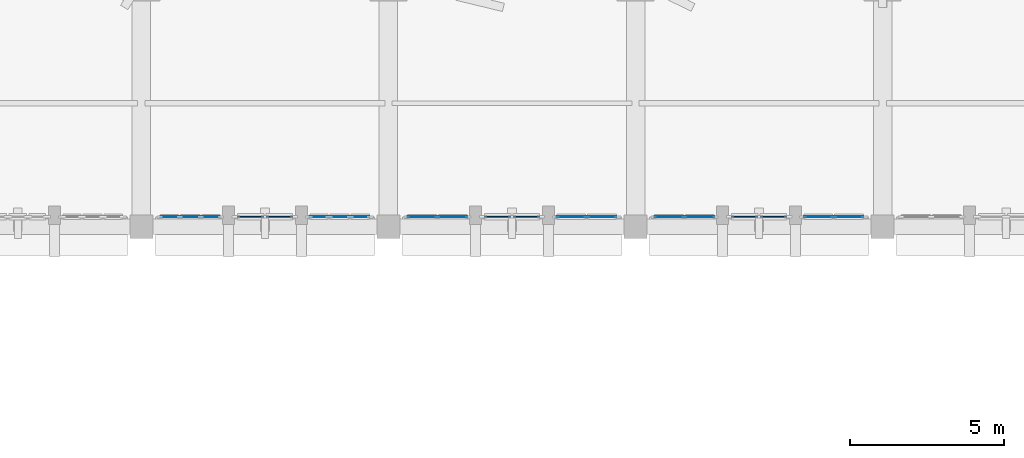
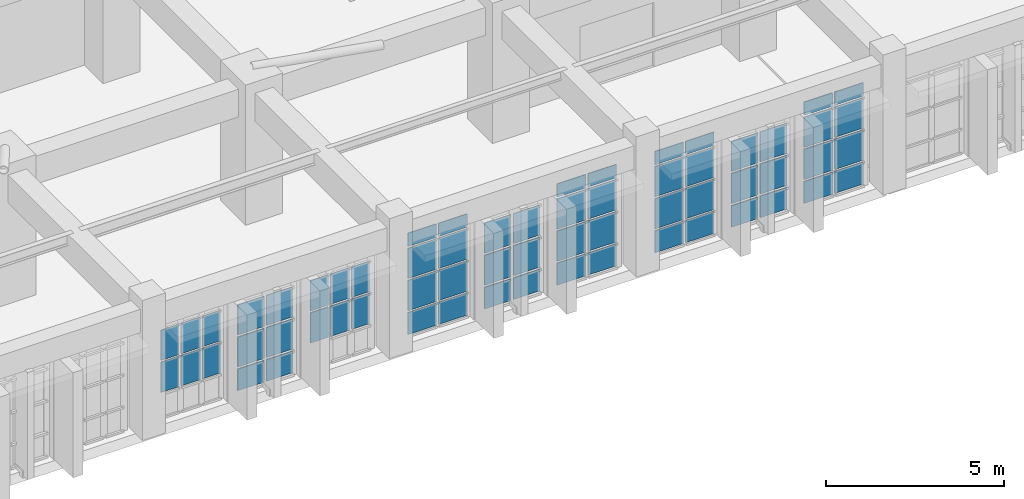
# One storey, part 95 of 155: 62 plates, 9 elements without a shape of their own.
"""IFC4 building model written with IfcOpenShell, lengths in metres."""

from ifc_helpers import new_model, si_unit, direction, frame, origin, origin_2d, place, context, subcontext, project, spatial, rectangle, extrude, material, layer, layer_set, type_object, element, aggregate, save


model = new_model("IFC4")

# Units and contexts
model_context = context("Model", 3, precision=1e-05, world=origin(), true_north=direction((0.0, 1.0)))
body_context = subcontext(model_context, "Body", "Model", "MODEL_VIEW")
ifc_project = project(units=[si_unit("LENGTHUNIT", "METRE"), si_unit("AREAUNIT", "SQUARE_METRE"), si_unit("VOLUMEUNIT", "CUBIC_METRE"), si_unit("PLANEANGLEUNIT", "RADIAN"), si_unit("MASSUNIT", "GRAM", prefix="KILO")], contexts=[model_context])

# Site, building, storey
site_placement = place(None, origin())
site = spatial("IfcSite", under=ifc_project, at=site_placement, CompositionType="ELEMENT")
building_placement = place(site_placement, origin())
building = spatial("IfcBuilding", under=site, at=building_placement, Name="Tazarka Park Arena", CompositionType="ELEMENT")
storey_placement = place(building_placement, frame((0.0, 0.0, 5.39990234375)))
storey = spatial("IfcBuildingStorey", under=building, at=storey_placement, Name="L01", CompositionType="ELEMENT", Elevation=5.39990234375)

# Curtain wall, plates
ifc_material_1 = material(Name="Aluminium and low-e glass", Category="aluminium")
ifc_layer_1 = layer(ifc_material_1, 0.179931640625, Name="Aluminium and low-e glass")
ifc_layer_set_1 = layer_set([ifc_layer_1], Name="Aluminium and low-e glass")
curtain_wall_type_1 = type_object("IfcCurtainWallType", Name="CW-09", PredefinedType="NOTDEFINED", material=ifc_layer_set_1)
curtain_wall_1_placement = place(storey_placement, origin())
curtain_wall_1 = element("IfcCurtainWall", 1, at=curtain_wall_1_placement, inside=storey, type_object=curtain_wall_type_1, Name="Curtain Wall CWA-L01-009", PredefinedType="NOTDEFINED")
ifc_material_2 = material(Name="Double low-e insulated glazing", Category="glass")
ifc_layer_2 = layer(ifc_material_2, 0.028076171875, Name="Double low-e insulated glazing")
ifc_layer_set_2 = layer_set([ifc_layer_2], Name="Double low-e insulated glazing")
plate_type_1 = type_object("IfcPlateType", Name="CWP-01", PredefinedType="CURTAIN_PANEL", material=ifc_layer_set_2)
plate_1_placement = place(storey_placement, frame((66.249755859375, 8.320068359375, 0.8828125), z_axis=(0.0, 0.0, 1.0), x_axis=(-1.0, 0.0, 0.0)))
plate_1 = element("IfcPlate", 2, at=plate_1_placement, type_object=plate_type_1, Name="CW-09 panel 1.2", PredefinedType="CURTAIN_PANEL", context=body_context, shape_type="SweptSolid", body=[
    extrude(rectangle(XDim=0.5869140625, YDim=0.028076171875, at=origin_2d()), origin(), (0.0, 0.0, 1.0), 1.034912109375),
])
plate_2_placement = place(storey_placement, frame((66.249755859375, 8.320068359375, 1.982421875), z_axis=(0.0, 0.0, 1.0), x_axis=(-1.0, 0.0, 0.0)))
plate_2 = element("IfcPlate", 3, at=plate_2_placement, type_object=plate_type_1, Name="CW-09 panel 1.3", PredefinedType="CURTAIN_PANEL", context=body_context, shape_type="SweptSolid", body=[
    extrude(rectangle(XDim=0.5869140625, YDim=0.028076171875, at=origin_2d()), origin(), (0.0, 0.0, 1.0), 1.034912109375),
])
plate_3_placement = place(storey_placement, frame((65.58154296875, 8.320068359375, 0.8828125), z_axis=(0.0, 0.0, 1.0), x_axis=(-1.0, 0.0, 0.0)))
plate_3 = element("IfcPlate", 4, at=plate_3_placement, type_object=plate_type_1, Name="CW-09 panel 2.2", PredefinedType="CURTAIN_PANEL", context=body_context, shape_type="SweptSolid", body=[
    extrude(rectangle(XDim=0.619384765625, YDim=0.028076171875, at=origin_2d()), origin(), (0.0, 0.0, 1.0), 1.034912109375),
])
plate_4_placement = place(storey_placement, frame((65.58154296875, 8.320068359375, 1.982421875), z_axis=(0.0, 0.0, 1.0), x_axis=(-1.0, 0.0, 0.0)))
plate_4 = element("IfcPlate", 5, at=plate_4_placement, type_object=plate_type_1, Name="CW-09 panel 2.3", PredefinedType="CURTAIN_PANEL", context=body_context, shape_type="SweptSolid", body=[
    extrude(rectangle(XDim=0.619384765625, YDim=0.028076171875, at=origin_2d()), origin(), (0.0, 0.0, 1.0), 1.034912109375),
])
plate_5_placement = place(storey_placement, frame((64.91357421875, 8.320068359375, 0.8828125), z_axis=(0.0, 0.0, 1.0), x_axis=(-1.0, 0.0, 0.0)))
plate_5 = element("IfcPlate", 6, at=plate_5_placement, type_object=plate_type_1, Name="CW-09 panel 3.2", PredefinedType="CURTAIN_PANEL", context=body_context, shape_type="SweptSolid", body=[
    extrude(rectangle(XDim=0.5869140625, YDim=0.028076171875, at=origin_2d()), origin(), (0.0, 0.0, 1.0), 1.034912109375),
])
plate_6_placement = place(storey_placement, frame((64.91357421875, 8.320068359375, 1.982421875), z_axis=(0.0, 0.0, 1.0), x_axis=(-1.0, 0.0, 0.0)))
plate_6 = element("IfcPlate", 7, at=plate_6_placement, type_object=plate_type_1, Name="CW-09 panel 3.3", PredefinedType="CURTAIN_PANEL", context=body_context, shape_type="SweptSolid", body=[
    extrude(rectangle(XDim=0.5869140625, YDim=0.028076171875, at=origin_2d()), origin(), (0.0, 0.0, 1.0), 1.034912109375),
])
aggregate(curtain_wall_1, [plate_1, plate_2, plate_3, plate_4, plate_5, plate_6])

ifc_material_3 = material(Name="Aluminium and low-e glass", Category="aluminium")
ifc_layer_3 = layer(ifc_material_3, 0.179931640625, Name="Aluminium and low-e glass")
ifc_layer_set_3 = layer_set([ifc_layer_3], Name="Aluminium and low-e glass")
curtain_wall_type_2 = type_object("IfcCurtainWallType", Name="CW-12", PredefinedType="NOTDEFINED", material=ifc_layer_set_3)
curtain_wall_2_placement = place(storey_placement, origin())
curtain_wall_2 = element("IfcCurtainWall", 8, at=curtain_wall_2_placement, inside=storey, type_object=curtain_wall_type_2, Name="Curtain Wall CWA-L01-012", PredefinedType="NOTDEFINED")
plate_7_placement = place(storey_placement, frame((74.07861328125, 8.320068359375, 0.065185546875), z_axis=(0.0, 0.0, 1.0), x_axis=(-1.0, 0.0, 0.0)))
plate_7 = element("IfcPlate", 9, at=plate_7_placement, type_object=plate_type_1, Name="CW-12 panel 1.1", PredefinedType="CURTAIN_PANEL", context=body_context, shape_type="SweptSolid", body=[
    extrude(rectangle(XDim=0.92919921875, YDim=0.028076171875, at=origin_2d()), origin(), (0.0, 0.0, 1.0), 0.75244140625),
])
plate_8_placement = place(storey_placement, frame((74.07861328125, 8.320068359375, 0.8828125), z_axis=(0.0, 0.0, 1.0), x_axis=(-1.0, 0.0, 0.0)))
plate_8 = element("IfcPlate", 10, at=plate_8_placement, type_object=plate_type_1, Name="CW-12 panel 1.2", PredefinedType="CURTAIN_PANEL", context=body_context, shape_type="SweptSolid", body=[
    extrude(rectangle(XDim=0.92919921875, YDim=0.028076171875, at=origin_2d()), origin(), (0.0, 0.0, 1.0), 1.034912109375),
])
plate_9_placement = place(storey_placement, frame((74.07861328125, 8.320068359375, 1.982421875), z_axis=(0.0, 0.0, 1.0), x_axis=(-1.0, 0.0, 0.0)))
plate_9 = element("IfcPlate", 11, at=plate_9_placement, type_object=plate_type_1, Name="CW-12 panel 1.3", PredefinedType="CURTAIN_PANEL", context=body_context, shape_type="SweptSolid", body=[
    extrude(rectangle(XDim=0.92919921875, YDim=0.028076171875, at=origin_2d()), origin(), (0.0, 0.0, 1.0), 1.034912109375),
])
plate_10_placement = place(storey_placement, frame((74.07861328125, 8.320068359375, 3.08251953125), z_axis=(0.0, 0.0, 1.0), x_axis=(-1.0, 0.0, 0.0)))
plate_10 = element("IfcPlate", 12, at=plate_10_placement, type_object=plate_type_1, Name="CW-12 panel 1.4", PredefinedType="CURTAIN_PANEL", context=body_context, shape_type="SweptSolid", body=[
    extrude(rectangle(XDim=0.92919921875, YDim=0.028076171875, at=origin_2d()), origin(), (0.0, 0.0, 1.0), 0.452392578125),
])
plate_11_placement = place(storey_placement, frame((73.08447265625, 8.320068359375, 0.065185546875), z_axis=(0.0, 0.0, 1.0), x_axis=(-1.0, 0.0, 0.0)))
plate_11 = element("IfcPlate", 13, at=plate_11_placement, type_object=plate_type_1, Name="CW-12 panel 2.1", PredefinedType="CURTAIN_PANEL", context=body_context, shape_type="SweptSolid", body=[
    extrude(rectangle(XDim=0.92919921875, YDim=0.028076171875, at=origin_2d()), origin(), (0.0, 0.0, 1.0), 0.75244140625),
])
plate_12_placement = place(storey_placement, frame((73.08447265625, 8.320068359375, 0.8828125), z_axis=(0.0, 0.0, 1.0), x_axis=(-1.0, 0.0, 0.0)))
plate_12 = element("IfcPlate", 14, at=plate_12_placement, type_object=plate_type_1, Name="CW-12 panel 2.2", PredefinedType="CURTAIN_PANEL", context=body_context, shape_type="SweptSolid", body=[
    extrude(rectangle(XDim=0.92919921875, YDim=0.028076171875, at=origin_2d()), origin(), (0.0, 0.0, 1.0), 1.034912109375),
])
plate_13_placement = place(storey_placement, frame((73.08447265625, 8.320068359375, 1.982421875), z_axis=(0.0, 0.0, 1.0), x_axis=(-1.0, 0.0, 0.0)))
plate_13 = element("IfcPlate", 15, at=plate_13_placement, type_object=plate_type_1, Name="CW-12 panel 2.3", PredefinedType="CURTAIN_PANEL", context=body_context, shape_type="SweptSolid", body=[
    extrude(rectangle(XDim=0.92919921875, YDim=0.028076171875, at=origin_2d()), origin(), (0.0, 0.0, 1.0), 1.034912109375),
])
plate_14_placement = place(storey_placement, frame((73.08447265625, 8.320068359375, 3.08251953125), z_axis=(0.0, 0.0, 1.0), x_axis=(-1.0, 0.0, 0.0)))
plate_14 = element("IfcPlate", 16, at=plate_14_placement, type_object=plate_type_1, Name="CW-12 panel 2.4", PredefinedType="CURTAIN_PANEL", context=body_context, shape_type="SweptSolid", body=[
    extrude(rectangle(XDim=0.92919921875, YDim=0.028076171875, at=origin_2d()), origin(), (0.0, 0.0, 1.0), 0.452392578125),
])
aggregate(curtain_wall_2, [plate_7, plate_8, plate_9, plate_10, plate_11, plate_12, plate_13, plate_14])

ifc_material_4 = material(Name="Aluminium and low-e glass", Category="aluminium")
ifc_layer_4 = layer(ifc_material_4, 0.179931640625, Name="Aluminium and low-e glass")
ifc_layer_set_4 = layer_set([ifc_layer_4], Name="Aluminium and low-e glass")
curtain_wall_type_3 = type_object("IfcCurtainWallType", Name="CW-15", PredefinedType="NOTDEFINED", material=ifc_layer_set_4)
curtain_wall_3_placement = place(storey_placement, origin())
curtain_wall_3 = element("IfcCurtainWall", 17, at=curtain_wall_3_placement, inside=storey, type_object=curtain_wall_type_3, Name="Curtain Wall CWA-L01-015", PredefinedType="NOTDEFINED")
plate_15_placement = place(storey_placement, frame((82.07861328125, 8.320068359375, 0.065185546875), z_axis=(0.0, 0.0, 1.0), x_axis=(-1.0, 0.0, 0.0)))
plate_15 = element("IfcPlate", 18, at=plate_15_placement, type_object=plate_type_1, Name="CW-15 panel 1.1", PredefinedType="CURTAIN_PANEL", context=body_context, shape_type="SweptSolid", body=[
    extrude(rectangle(XDim=0.92919921875, YDim=0.028076171875, at=origin_2d()), origin(), (0.0, 0.0, 1.0), 0.75244140625),
])
plate_16_placement = place(storey_placement, frame((82.07861328125, 8.320068359375, 0.8828125), z_axis=(0.0, 0.0, 1.0), x_axis=(-1.0, 0.0, 0.0)))
plate_16 = element("IfcPlate", 19, at=plate_16_placement, type_object=plate_type_1, Name="CW-15 panel 1.2", PredefinedType="CURTAIN_PANEL", context=body_context, shape_type="SweptSolid", body=[
    extrude(rectangle(XDim=0.92919921875, YDim=0.028076171875, at=origin_2d()), origin(), (0.0, 0.0, 1.0), 1.034912109375),
])
plate_17_placement = place(storey_placement, frame((82.07861328125, 8.320068359375, 1.982421875), z_axis=(0.0, 0.0, 1.0), x_axis=(-1.0, 0.0, 0.0)))
plate_17 = element("IfcPlate", 20, at=plate_17_placement, type_object=plate_type_1, Name="CW-15 panel 1.3", PredefinedType="CURTAIN_PANEL", context=body_context, shape_type="SweptSolid", body=[
    extrude(rectangle(XDim=0.92919921875, YDim=0.028076171875, at=origin_2d()), origin(), (0.0, 0.0, 1.0), 1.034912109375),
])
plate_18_placement = place(storey_placement, frame((82.07861328125, 8.320068359375, 3.08251953125), z_axis=(0.0, 0.0, 1.0), x_axis=(-1.0, 0.0, 0.0)))
plate_18 = element("IfcPlate", 21, at=plate_18_placement, type_object=plate_type_1, Name="CW-15 panel 1.4", PredefinedType="CURTAIN_PANEL", context=body_context, shape_type="SweptSolid", body=[
    extrude(rectangle(XDim=0.92919921875, YDim=0.028076171875, at=origin_2d()), origin(), (0.0, 0.0, 1.0), 0.452392578125),
])
plate_19_placement = place(storey_placement, frame((81.08447265625, 8.320068359375, 0.065185546875), z_axis=(0.0, 0.0, 1.0), x_axis=(-1.0, 0.0, 0.0)))
plate_19 = element("IfcPlate", 22, at=plate_19_placement, type_object=plate_type_1, Name="CW-15 panel 2.1", PredefinedType="CURTAIN_PANEL", context=body_context, shape_type="SweptSolid", body=[
    extrude(rectangle(XDim=0.92919921875, YDim=0.028076171875, at=origin_2d()), origin(), (0.0, 0.0, 1.0), 0.75244140625),
])
plate_20_placement = place(storey_placement, frame((81.08447265625, 8.320068359375, 0.8828125), z_axis=(0.0, 0.0, 1.0), x_axis=(-1.0, 0.0, 0.0)))
plate_20 = element("IfcPlate", 23, at=plate_20_placement, type_object=plate_type_1, Name="CW-15 panel 2.2", PredefinedType="CURTAIN_PANEL", context=body_context, shape_type="SweptSolid", body=[
    extrude(rectangle(XDim=0.92919921875, YDim=0.028076171875, at=origin_2d()), origin(), (0.0, 0.0, 1.0), 1.034912109375),
])
plate_21_placement = place(storey_placement, frame((81.08447265625, 8.320068359375, 1.982421875), z_axis=(0.0, 0.0, 1.0), x_axis=(-1.0, 0.0, 0.0)))
plate_21 = element("IfcPlate", 24, at=plate_21_placement, type_object=plate_type_1, Name="CW-15 panel 2.3", PredefinedType="CURTAIN_PANEL", context=body_context, shape_type="SweptSolid", body=[
    extrude(rectangle(XDim=0.92919921875, YDim=0.028076171875, at=origin_2d()), origin(), (0.0, 0.0, 1.0), 1.034912109375),
])
plate_22_placement = place(storey_placement, frame((81.08447265625, 8.320068359375, 3.08251953125), z_axis=(0.0, 0.0, 1.0), x_axis=(-1.0, 0.0, 0.0)))
plate_22 = element("IfcPlate", 25, at=plate_22_placement, type_object=plate_type_1, Name="CW-15 panel 2.4", PredefinedType="CURTAIN_PANEL", context=body_context, shape_type="SweptSolid", body=[
    extrude(rectangle(XDim=0.92919921875, YDim=0.028076171875, at=origin_2d()), origin(), (0.0, 0.0, 1.0), 0.452392578125),
])
aggregate(curtain_wall_3, [plate_15, plate_16, plate_17, plate_18, plate_19, plate_20, plate_21, plate_22])

ifc_material_5 = material(Name="Aluminium and low-e glass", Category="aluminium")
ifc_layer_5 = layer(ifc_material_5, 0.179931640625, Name="Aluminium and low-e glass")
ifc_layer_set_5 = layer_set([ifc_layer_5], Name="Aluminium and low-e glass")
curtain_wall_type_4 = type_object("IfcCurtainWallType", Name="CW-07", PredefinedType="NOTDEFINED", material=ifc_layer_set_5)
curtain_wall_4_placement = place(storey_placement, origin())
curtain_wall_4 = element("IfcCurtainWall", 26, at=curtain_wall_4_placement, inside=storey, type_object=curtain_wall_type_4, Name="Curtain Wall CWA-L01-007", PredefinedType="NOTDEFINED")
ifc_material_6 = material(Name="Triple acoustic solar glazing", Category="glass")
ifc_layer_6 = layer(ifc_material_6, 0.031982421875, Name="Triple acoustic solar glazing")
ifc_layer_set_6 = layer_set([ifc_layer_6], Name="Triple acoustic solar glazing")
plate_type_2 = type_object("IfcPlateType", Name="CWP-02", PredefinedType="CURTAIN_PANEL", material=ifc_layer_set_6)
plate_23_placement = place(storey_placement, frame((71.08642578125, 8.320068359375, 0.8828125), z_axis=(0.0, 0.0, 1.0), x_axis=(-1.0, 0.0, 0.0)))
plate_23 = element("IfcPlate", 27, at=plate_23_placement, type_object=plate_type_2, Name="CW-07 panel 1.2", PredefinedType="CURTAIN_PANEL", context=body_context, shape_type="SweptSolid", body=[
    extrude(rectangle(XDim=0.5869140625, YDim=0.031982421875, at=origin_2d()), origin(), (0.0, 0.0, 1.0), 1.034912109375),
])
plate_24_placement = place(storey_placement, frame((71.08642578125, 8.320068359375, 1.982421875), z_axis=(0.0, 0.0, 1.0), x_axis=(-1.0, 0.0, 0.0)))
plate_24 = element("IfcPlate", 28, at=plate_24_placement, type_object=plate_type_2, Name="CW-07 panel 1.3", PredefinedType="CURTAIN_PANEL", context=body_context, shape_type="SweptSolid", body=[
    extrude(rectangle(XDim=0.5869140625, YDim=0.031982421875, at=origin_2d()), origin(), (0.0, 0.0, 1.0), 1.034912109375),
])
plate_25_placement = place(storey_placement, frame((70.41845703125, 8.320068359375, 0.8828125), z_axis=(0.0, 0.0, 1.0), x_axis=(-1.0, 0.0, 0.0)))
plate_25 = element("IfcPlate", 29, at=plate_25_placement, type_object=plate_type_2, Name="CW-07 panel 2.2", PredefinedType="CURTAIN_PANEL", context=body_context, shape_type="SweptSolid", body=[
    extrude(rectangle(XDim=0.619384765625, YDim=0.031982421875, at=origin_2d()), origin(), (0.0, 0.0, 1.0), 1.034912109375),
])
plate_26_placement = place(storey_placement, frame((70.41845703125, 8.320068359375, 1.982421875), z_axis=(0.0, 0.0, 1.0), x_axis=(-1.0, 0.0, 0.0)))
plate_26 = element("IfcPlate", 30, at=plate_26_placement, type_object=plate_type_2, Name="CW-07 panel 2.3", PredefinedType="CURTAIN_PANEL", context=body_context, shape_type="SweptSolid", body=[
    extrude(rectangle(XDim=0.619384765625, YDim=0.031982421875, at=origin_2d()), origin(), (0.0, 0.0, 1.0), 1.034912109375),
])
plate_27_placement = place(storey_placement, frame((69.750244140625, 8.320068359375, 0.8828125), z_axis=(0.0, 0.0, 1.0), x_axis=(-1.0, 0.0, 0.0)))
plate_27 = element("IfcPlate", 31, at=plate_27_placement, type_object=plate_type_2, Name="CW-07 panel 3.2", PredefinedType="CURTAIN_PANEL", context=body_context, shape_type="SweptSolid", body=[
    extrude(rectangle(XDim=0.5869140625, YDim=0.031982421875, at=origin_2d()), origin(), (0.0, 0.0, 1.0), 1.034912109375),
])
plate_28_placement = place(storey_placement, frame((69.750244140625, 8.320068359375, 1.982421875), z_axis=(0.0, 0.0, 1.0), x_axis=(-1.0, 0.0, 0.0)))
plate_28 = element("IfcPlate", 32, at=plate_28_placement, type_object=plate_type_2, Name="CW-07 panel 3.3", PredefinedType="CURTAIN_PANEL", context=body_context, shape_type="SweptSolid", body=[
    extrude(rectangle(XDim=0.5869140625, YDim=0.031982421875, at=origin_2d()), origin(), (0.0, 0.0, 1.0), 1.034912109375),
])
aggregate(curtain_wall_4, [plate_23, plate_24, plate_25, plate_26, plate_27, plate_28])

ifc_material_7 = material(Name="Aluminium and low-e glass", Category="aluminium")
ifc_layer_7 = layer(ifc_material_7, 0.179931640625, Name="Aluminium and low-e glass")
ifc_layer_set_7 = layer_set([ifc_layer_7], Name="Aluminium and low-e glass")
curtain_wall_type_5 = type_object("IfcCurtainWallType", Name="CW-10", PredefinedType="NOTDEFINED", material=ifc_layer_set_7)
curtain_wall_5_placement = place(storey_placement, origin())
curtain_wall_5 = element("IfcCurtainWall", 33, at=curtain_wall_5_placement, inside=storey, type_object=curtain_wall_type_5, Name="Curtain Wall CWA-L01-010", PredefinedType="NOTDEFINED")
plate_29_placement = place(storey_placement, frame((78.91552734375, 8.320068359375, 0.065185546875), z_axis=(0.0, 0.0, 1.0), x_axis=(-1.0, 0.0, 0.0)))
plate_29 = element("IfcPlate", 34, at=plate_29_placement, type_object=plate_type_2, Name="CW-10 panel 1.1", PredefinedType="CURTAIN_PANEL", context=body_context, shape_type="SweptSolid", body=[
    extrude(rectangle(XDim=0.92919921875, YDim=0.031982421875, at=origin_2d()), origin(), (0.0, 0.0, 1.0), 0.75244140625),
])
plate_30_placement = place(storey_placement, frame((78.91552734375, 8.320068359375, 0.8828125), z_axis=(0.0, 0.0, 1.0), x_axis=(-1.0, 0.0, 0.0)))
plate_30 = element("IfcPlate", 35, at=plate_30_placement, type_object=plate_type_2, Name="CW-10 panel 1.2", PredefinedType="CURTAIN_PANEL", context=body_context, shape_type="SweptSolid", body=[
    extrude(rectangle(XDim=0.92919921875, YDim=0.031982421875, at=origin_2d()), origin(), (0.0, 0.0, 1.0), 1.034912109375),
])
plate_31_placement = place(storey_placement, frame((78.91552734375, 8.320068359375, 1.982421875), z_axis=(0.0, 0.0, 1.0), x_axis=(-1.0, 0.0, 0.0)))
plate_31 = element("IfcPlate", 36, at=plate_31_placement, type_object=plate_type_2, Name="CW-10 panel 1.3", PredefinedType="CURTAIN_PANEL", context=body_context, shape_type="SweptSolid", body=[
    extrude(rectangle(XDim=0.92919921875, YDim=0.031982421875, at=origin_2d()), origin(), (0.0, 0.0, 1.0), 1.034912109375),
])
plate_32_placement = place(storey_placement, frame((78.91552734375, 8.320068359375, 3.08251953125), z_axis=(0.0, 0.0, 1.0), x_axis=(-1.0, 0.0, 0.0)))
plate_32 = element("IfcPlate", 37, at=plate_32_placement, type_object=plate_type_2, Name="CW-10 panel 1.4", PredefinedType="CURTAIN_PANEL", context=body_context, shape_type="SweptSolid", body=[
    extrude(rectangle(XDim=0.92919921875, YDim=0.031982421875, at=origin_2d()), origin(), (0.0, 0.0, 1.0), 0.452392578125),
])
plate_33_placement = place(storey_placement, frame((77.92138671875, 8.320068359375, 0.065185546875), z_axis=(0.0, 0.0, 1.0), x_axis=(-1.0, 0.0, 0.0)))
plate_33 = element("IfcPlate", 38, at=plate_33_placement, type_object=plate_type_2, Name="CW-10 panel 2.1", PredefinedType="CURTAIN_PANEL", context=body_context, shape_type="SweptSolid", body=[
    extrude(rectangle(XDim=0.92919921875, YDim=0.031982421875, at=origin_2d()), origin(), (0.0, 0.0, 1.0), 0.75244140625),
])
plate_34_placement = place(storey_placement, frame((77.92138671875, 8.320068359375, 0.8828125), z_axis=(0.0, 0.0, 1.0), x_axis=(-1.0, 0.0, 0.0)))
plate_34 = element("IfcPlate", 39, at=plate_34_placement, type_object=plate_type_2, Name="CW-10 panel 2.2", PredefinedType="CURTAIN_PANEL", context=body_context, shape_type="SweptSolid", body=[
    extrude(rectangle(XDim=0.92919921875, YDim=0.031982421875, at=origin_2d()), origin(), (0.0, 0.0, 1.0), 1.034912109375),
])
plate_35_placement = place(storey_placement, frame((77.92138671875, 8.320068359375, 1.982421875), z_axis=(0.0, 0.0, 1.0), x_axis=(-1.0, 0.0, 0.0)))
plate_35 = element("IfcPlate", 40, at=plate_35_placement, type_object=plate_type_2, Name="CW-10 panel 2.3", PredefinedType="CURTAIN_PANEL", context=body_context, shape_type="SweptSolid", body=[
    extrude(rectangle(XDim=0.92919921875, YDim=0.031982421875, at=origin_2d()), origin(), (0.0, 0.0, 1.0), 1.034912109375),
])
plate_36_placement = place(storey_placement, frame((77.92138671875, 8.320068359375, 3.08251953125), z_axis=(0.0, 0.0, 1.0), x_axis=(-1.0, 0.0, 0.0)))
plate_36 = element("IfcPlate", 41, at=plate_36_placement, type_object=plate_type_2, Name="CW-10 panel 2.4", PredefinedType="CURTAIN_PANEL", context=body_context, shape_type="SweptSolid", body=[
    extrude(rectangle(XDim=0.92919921875, YDim=0.031982421875, at=origin_2d()), origin(), (0.0, 0.0, 1.0), 0.452392578125),
])
aggregate(curtain_wall_5, [plate_29, plate_30, plate_31, plate_32, plate_33, plate_34, plate_35, plate_36])

ifc_material_8 = material(Name="Aluminium and low-e glass", Category="aluminium")
ifc_layer_8 = layer(ifc_material_8, 0.179931640625, Name="Aluminium and low-e glass")
ifc_layer_set_8 = layer_set([ifc_layer_8], Name="Aluminium and low-e glass")
curtain_wall_type_6 = type_object("IfcCurtainWallType", Name="CW-13", PredefinedType="NOTDEFINED", material=ifc_layer_set_8)
curtain_wall_6_placement = place(storey_placement, origin())
curtain_wall_6 = element("IfcCurtainWall", 42, at=curtain_wall_6_placement, inside=storey, type_object=curtain_wall_type_6, Name="Curtain Wall CWA-L01-013", PredefinedType="NOTDEFINED")
plate_37_placement = place(storey_placement, frame((86.91552734375, 8.320068359375, 0.065185546875), z_axis=(0.0, 0.0, 1.0), x_axis=(-1.0, 0.0, 0.0)))
plate_37 = element("IfcPlate", 43, at=plate_37_placement, type_object=plate_type_2, Name="CW-13 panel 1.1", PredefinedType="CURTAIN_PANEL", context=body_context, shape_type="SweptSolid", body=[
    extrude(rectangle(XDim=0.92919921875, YDim=0.031982421875, at=origin_2d()), origin(), (0.0, 0.0, 1.0), 0.75244140625),
])
plate_38_placement = place(storey_placement, frame((86.91552734375, 8.320068359375, 0.8828125), z_axis=(0.0, 0.0, 1.0), x_axis=(-1.0, 0.0, 0.0)))
plate_38 = element("IfcPlate", 44, at=plate_38_placement, type_object=plate_type_2, Name="CW-13 panel 1.2", PredefinedType="CURTAIN_PANEL", context=body_context, shape_type="SweptSolid", body=[
    extrude(rectangle(XDim=0.92919921875, YDim=0.031982421875, at=origin_2d()), origin(), (0.0, 0.0, 1.0), 1.034912109375),
])
plate_39_placement = place(storey_placement, frame((86.91552734375, 8.320068359375, 1.982421875), z_axis=(0.0, 0.0, 1.0), x_axis=(-1.0, 0.0, 0.0)))
plate_39 = element("IfcPlate", 45, at=plate_39_placement, type_object=plate_type_2, Name="CW-13 panel 1.3", PredefinedType="CURTAIN_PANEL", context=body_context, shape_type="SweptSolid", body=[
    extrude(rectangle(XDim=0.92919921875, YDim=0.031982421875, at=origin_2d()), origin(), (0.0, 0.0, 1.0), 1.034912109375),
])
plate_40_placement = place(storey_placement, frame((86.91552734375, 8.320068359375, 3.08251953125), z_axis=(0.0, 0.0, 1.0), x_axis=(-1.0, 0.0, 0.0)))
plate_40 = element("IfcPlate", 46, at=plate_40_placement, type_object=plate_type_2, Name="CW-13 panel 1.4", PredefinedType="CURTAIN_PANEL", context=body_context, shape_type="SweptSolid", body=[
    extrude(rectangle(XDim=0.92919921875, YDim=0.031982421875, at=origin_2d()), origin(), (0.0, 0.0, 1.0), 0.452392578125),
])
plate_41_placement = place(storey_placement, frame((85.92138671875, 8.320068359375, 0.065185546875), z_axis=(0.0, 0.0, 1.0), x_axis=(-1.0, 0.0, 0.0)))
plate_41 = element("IfcPlate", 47, at=plate_41_placement, type_object=plate_type_2, Name="CW-13 panel 2.1", PredefinedType="CURTAIN_PANEL", context=body_context, shape_type="SweptSolid", body=[
    extrude(rectangle(XDim=0.92919921875, YDim=0.031982421875, at=origin_2d()), origin(), (0.0, 0.0, 1.0), 0.75244140625),
])
plate_42_placement = place(storey_placement, frame((85.92138671875, 8.320068359375, 0.8828125), z_axis=(0.0, 0.0, 1.0), x_axis=(-1.0, 0.0, 0.0)))
plate_42 = element("IfcPlate", 48, at=plate_42_placement, type_object=plate_type_2, Name="CW-13 panel 2.2", PredefinedType="CURTAIN_PANEL", context=body_context, shape_type="SweptSolid", body=[
    extrude(rectangle(XDim=0.92919921875, YDim=0.031982421875, at=origin_2d()), origin(), (0.0, 0.0, 1.0), 1.034912109375),
])
plate_43_placement = place(storey_placement, frame((85.92138671875, 8.320068359375, 1.982421875), z_axis=(0.0, 0.0, 1.0), x_axis=(-1.0, 0.0, 0.0)))
plate_43 = element("IfcPlate", 49, at=plate_43_placement, type_object=plate_type_2, Name="CW-13 panel 2.3", PredefinedType="CURTAIN_PANEL", context=body_context, shape_type="SweptSolid", body=[
    extrude(rectangle(XDim=0.92919921875, YDim=0.031982421875, at=origin_2d()), origin(), (0.0, 0.0, 1.0), 1.034912109375),
])
plate_44_placement = place(storey_placement, frame((85.92138671875, 8.320068359375, 3.08251953125), z_axis=(0.0, 0.0, 1.0), x_axis=(-1.0, 0.0, 0.0)))
plate_44 = element("IfcPlate", 50, at=plate_44_placement, type_object=plate_type_2, Name="CW-13 panel 2.4", PredefinedType="CURTAIN_PANEL", context=body_context, shape_type="SweptSolid", body=[
    extrude(rectangle(XDim=0.92919921875, YDim=0.031982421875, at=origin_2d()), origin(), (0.0, 0.0, 1.0), 0.452392578125),
])
aggregate(curtain_wall_6, [plate_37, plate_38, plate_39, plate_40, plate_41, plate_42, plate_43, plate_44])

ifc_material_9 = material(Name="Aluminium and low-e glass", Category="aluminium")
ifc_layer_9 = layer(ifc_material_9, 0.179931640625, Name="Aluminium and low-e glass")
ifc_layer_set_9 = layer_set([ifc_layer_9], Name="Aluminium and low-e glass")
curtain_wall_type_7 = type_object("IfcCurtainWallType", Name="CW-08", PredefinedType="NOTDEFINED", material=ifc_layer_set_9)
curtain_wall_7_placement = place(storey_placement, origin())
curtain_wall_7 = element("IfcCurtainWall", 51, at=curtain_wall_7_placement, inside=storey, type_object=curtain_wall_type_7, Name="Curtain Wall CWA-L01-008", PredefinedType="NOTDEFINED")
ifc_material_10 = material(Name="Insulated aluminium spandrel panel", Category="aluminium")
ifc_layer_10 = layer(ifc_material_10, 0.035888671875, Name="Insulated aluminium spandrel panel")
ifc_layer_set_10 = layer_set([ifc_layer_10], Name="Insulated aluminium spandrel panel")
plate_type_3 = type_object("IfcPlateType", Name="CWP-03", PredefinedType="CURTAIN_PANEL", material=ifc_layer_set_10)
plate_45_placement = place(storey_placement, frame((68.467041015625, 8.320068359375, 0.0751953125), z_axis=(0.0, 0.0, 1.0), x_axis=(-1.0, 0.0, 0.0)))
plate_45 = element("IfcPlate", 52, at=plate_45_placement, type_object=plate_type_3, Name="CW-08 panel 1.1", PredefinedType="CURTAIN_PANEL", context=body_context, shape_type="SweptSolid", body=[
    extrude(rectangle(XDim=0.859130859375, YDim=0.035888671875, at=origin_2d()), origin(), (0.0, 0.0, 1.0), 0.737548828125),
])
plate_46_placement = place(storey_placement, frame((68.467041015625, 8.320068359375, 0.8876953125), z_axis=(0.0, 0.0, 1.0), x_axis=(-1.0, 0.0, 0.0)))
plate_46 = element("IfcPlate", 53, at=plate_46_placement, type_object=plate_type_3, Name="CW-08 panel 1.2", PredefinedType="CURTAIN_PANEL", context=body_context, shape_type="SweptSolid", body=[
    extrude(rectangle(XDim=0.859130859375, YDim=0.035888671875, at=origin_2d()), origin(), (0.0, 0.0, 1.0), 1.02490234375),
])
plate_47_placement = place(storey_placement, frame((68.467041015625, 8.320068359375, 1.987548828125), z_axis=(0.0, 0.0, 1.0), x_axis=(-1.0, 0.0, 0.0)))
plate_47 = element("IfcPlate", 54, at=plate_47_placement, type_object=plate_type_3, Name="CW-08 panel 1.3", PredefinedType="CURTAIN_PANEL", context=body_context, shape_type="SweptSolid", body=[
    extrude(rectangle(XDim=0.859130859375, YDim=0.035888671875, at=origin_2d()), origin(), (0.0, 0.0, 1.0), 1.02490234375),
])
plate_48_placement = place(storey_placement, frame((67.532958984375, 8.320068359375, 0.0751953125), z_axis=(0.0, 0.0, 1.0), x_axis=(-1.0, 0.0, 0.0)))
plate_48 = element("IfcPlate", 55, at=plate_48_placement, type_object=plate_type_3, Name="CW-08 panel 2.1", PredefinedType="CURTAIN_PANEL", context=body_context, shape_type="SweptSolid", body=[
    extrude(rectangle(XDim=0.859130859375, YDim=0.035888671875, at=origin_2d()), origin(), (0.0, 0.0, 1.0), 0.737548828125),
])
plate_49_placement = place(storey_placement, frame((67.532958984375, 8.320068359375, 0.8876953125), z_axis=(0.0, 0.0, 1.0), x_axis=(-1.0, 0.0, 0.0)))
plate_49 = element("IfcPlate", 56, at=plate_49_placement, type_object=plate_type_3, Name="CW-08 panel 2.2", PredefinedType="CURTAIN_PANEL", context=body_context, shape_type="SweptSolid", body=[
    extrude(rectangle(XDim=0.859130859375, YDim=0.035888671875, at=origin_2d()), origin(), (0.0, 0.0, 1.0), 1.02490234375),
])
plate_50_placement = place(storey_placement, frame((67.532958984375, 8.320068359375, 1.987548828125), z_axis=(0.0, 0.0, 1.0), x_axis=(-1.0, 0.0, 0.0)))
plate_50 = element("IfcPlate", 57, at=plate_50_placement, type_object=plate_type_3, Name="CW-08 panel 2.3", PredefinedType="CURTAIN_PANEL", context=body_context, shape_type="SweptSolid", body=[
    extrude(rectangle(XDim=0.859130859375, YDim=0.035888671875, at=origin_2d()), origin(), (0.0, 0.0, 1.0), 1.02490234375),
])
aggregate(curtain_wall_7, [plate_45, plate_46, plate_47, plate_48, plate_49, plate_50])

ifc_material_11 = material(Name="Aluminium and low-e glass", Category="aluminium")
ifc_layer_11 = layer(ifc_material_11, 0.179931640625, Name="Aluminium and low-e glass")
ifc_layer_set_11 = layer_set([ifc_layer_11], Name="Aluminium and low-e glass")
curtain_wall_type_8 = type_object("IfcCurtainWallType", Name="CW-11", PredefinedType="NOTDEFINED", material=ifc_layer_set_11)
curtain_wall_8_placement = place(storey_placement, origin())
curtain_wall_8 = element("IfcCurtainWall", 58, at=curtain_wall_8_placement, inside=storey, type_object=curtain_wall_type_8, Name="Curtain Wall CWA-L01-011", PredefinedType="NOTDEFINED")
plate_51_placement = place(storey_placement, frame((76.467041015625, 8.320068359375, 0.0751953125), z_axis=(0.0, 0.0, 1.0), x_axis=(-1.0, 0.0, 0.0)))
plate_51 = element("IfcPlate", 59, at=plate_51_placement, type_object=plate_type_3, Name="CW-11 panel 1.1", PredefinedType="CURTAIN_PANEL", context=body_context, shape_type="SweptSolid", body=[
    extrude(rectangle(XDim=0.859130859375, YDim=0.035888671875, at=origin_2d()), origin(), (0.0, 0.0, 1.0), 0.737548828125),
])
plate_52_placement = place(storey_placement, frame((76.467041015625, 8.320068359375, 0.8876953125), z_axis=(0.0, 0.0, 1.0), x_axis=(-1.0, 0.0, 0.0)))
plate_52 = element("IfcPlate", 60, at=plate_52_placement, type_object=plate_type_3, Name="CW-11 panel 1.2", PredefinedType="CURTAIN_PANEL", context=body_context, shape_type="SweptSolid", body=[
    extrude(rectangle(XDim=0.859130859375, YDim=0.035888671875, at=origin_2d()), origin(), (0.0, 0.0, 1.0), 1.02490234375),
])
plate_53_placement = place(storey_placement, frame((76.467041015625, 8.320068359375, 1.987548828125), z_axis=(0.0, 0.0, 1.0), x_axis=(-1.0, 0.0, 0.0)))
plate_53 = element("IfcPlate", 61, at=plate_53_placement, type_object=plate_type_3, Name="CW-11 panel 1.3", PredefinedType="CURTAIN_PANEL", context=body_context, shape_type="SweptSolid", body=[
    extrude(rectangle(XDim=0.859130859375, YDim=0.035888671875, at=origin_2d()), origin(), (0.0, 0.0, 1.0), 1.02490234375),
])
plate_54_placement = place(storey_placement, frame((75.532958984375, 8.320068359375, 0.0751953125), z_axis=(0.0, 0.0, 1.0), x_axis=(-1.0, 0.0, 0.0)))
plate_54 = element("IfcPlate", 62, at=plate_54_placement, type_object=plate_type_3, Name="CW-11 panel 2.1", PredefinedType="CURTAIN_PANEL", context=body_context, shape_type="SweptSolid", body=[
    extrude(rectangle(XDim=0.859130859375, YDim=0.035888671875, at=origin_2d()), origin(), (0.0, 0.0, 1.0), 0.737548828125),
])
plate_55_placement = place(storey_placement, frame((75.532958984375, 8.320068359375, 0.8876953125), z_axis=(0.0, 0.0, 1.0), x_axis=(-1.0, 0.0, 0.0)))
plate_55 = element("IfcPlate", 63, at=plate_55_placement, type_object=plate_type_3, Name="CW-11 panel 2.2", PredefinedType="CURTAIN_PANEL", context=body_context, shape_type="SweptSolid", body=[
    extrude(rectangle(XDim=0.859130859375, YDim=0.035888671875, at=origin_2d()), origin(), (0.0, 0.0, 1.0), 1.02490234375),
])
plate_56_placement = place(storey_placement, frame((75.532958984375, 8.320068359375, 1.987548828125), z_axis=(0.0, 0.0, 1.0), x_axis=(-1.0, 0.0, 0.0)))
plate_56 = element("IfcPlate", 64, at=plate_56_placement, type_object=plate_type_3, Name="CW-11 panel 2.3", PredefinedType="CURTAIN_PANEL", context=body_context, shape_type="SweptSolid", body=[
    extrude(rectangle(XDim=0.859130859375, YDim=0.035888671875, at=origin_2d()), origin(), (0.0, 0.0, 1.0), 1.02490234375),
])
aggregate(curtain_wall_8, [plate_51, plate_52, plate_53, plate_54, plate_55, plate_56])

ifc_material_12 = material(Name="Aluminium and low-e glass", Category="aluminium")
ifc_layer_12 = layer(ifc_material_12, 0.179931640625, Name="Aluminium and low-e glass")
ifc_layer_set_12 = layer_set([ifc_layer_12], Name="Aluminium and low-e glass")
curtain_wall_type_9 = type_object("IfcCurtainWallType", Name="CW-14", PredefinedType="NOTDEFINED", material=ifc_layer_set_12)
curtain_wall_9_placement = place(storey_placement, origin())
curtain_wall_9 = element("IfcCurtainWall", 65, at=curtain_wall_9_placement, inside=storey, type_object=curtain_wall_type_9, Name="Curtain Wall CWA-L01-014", PredefinedType="NOTDEFINED")
plate_57_placement = place(storey_placement, frame((84.467041015625, 8.320068359375, 0.0751953125), z_axis=(0.0, 0.0, 1.0), x_axis=(-1.0, 0.0, 0.0)))
plate_57 = element("IfcPlate", 66, at=plate_57_placement, type_object=plate_type_3, Name="CW-14 panel 1.1", PredefinedType="CURTAIN_PANEL", context=body_context, shape_type="SweptSolid", body=[
    extrude(rectangle(XDim=0.859130859375, YDim=0.035888671875, at=origin_2d()), origin(), (0.0, 0.0, 1.0), 0.737548828125),
])
plate_58_placement = place(storey_placement, frame((84.467041015625, 8.320068359375, 0.8876953125), z_axis=(0.0, 0.0, 1.0), x_axis=(-1.0, 0.0, 0.0)))
plate_58 = element("IfcPlate", 67, at=plate_58_placement, type_object=plate_type_3, Name="CW-14 panel 1.2", PredefinedType="CURTAIN_PANEL", context=body_context, shape_type="SweptSolid", body=[
    extrude(rectangle(XDim=0.859130859375, YDim=0.035888671875, at=origin_2d()), origin(), (0.0, 0.0, 1.0), 1.02490234375),
])
plate_59_placement = place(storey_placement, frame((84.467041015625, 8.320068359375, 1.987548828125), z_axis=(0.0, 0.0, 1.0), x_axis=(-1.0, 0.0, 0.0)))
plate_59 = element("IfcPlate", 68, at=plate_59_placement, type_object=plate_type_3, Name="CW-14 panel 1.3", PredefinedType="CURTAIN_PANEL", context=body_context, shape_type="SweptSolid", body=[
    extrude(rectangle(XDim=0.859130859375, YDim=0.035888671875, at=origin_2d()), origin(), (0.0, 0.0, 1.0), 1.02490234375),
])
plate_60_placement = place(storey_placement, frame((83.532958984375, 8.320068359375, 0.0751953125), z_axis=(0.0, 0.0, 1.0), x_axis=(-1.0, 0.0, 0.0)))
plate_60 = element("IfcPlate", 69, at=plate_60_placement, type_object=plate_type_3, Name="CW-14 panel 2.1", PredefinedType="CURTAIN_PANEL", context=body_context, shape_type="SweptSolid", body=[
    extrude(rectangle(XDim=0.859130859375, YDim=0.035888671875, at=origin_2d()), origin(), (0.0, 0.0, 1.0), 0.737548828125),
])
plate_61_placement = place(storey_placement, frame((83.532958984375, 8.320068359375, 0.8876953125), z_axis=(0.0, 0.0, 1.0), x_axis=(-1.0, 0.0, 0.0)))
plate_61 = element("IfcPlate", 70, at=plate_61_placement, type_object=plate_type_3, Name="CW-14 panel 2.2", PredefinedType="CURTAIN_PANEL", context=body_context, shape_type="SweptSolid", body=[
    extrude(rectangle(XDim=0.859130859375, YDim=0.035888671875, at=origin_2d()), origin(), (0.0, 0.0, 1.0), 1.02490234375),
])
plate_62_placement = place(storey_placement, frame((83.532958984375, 8.320068359375, 1.987548828125), z_axis=(0.0, 0.0, 1.0), x_axis=(-1.0, 0.0, 0.0)))
plate_62 = element("IfcPlate", 71, at=plate_62_placement, type_object=plate_type_3, Name="CW-14 panel 2.3", PredefinedType="CURTAIN_PANEL", context=body_context, shape_type="SweptSolid", body=[
    extrude(rectangle(XDim=0.859130859375, YDim=0.035888671875, at=origin_2d()), origin(), (0.0, 0.0, 1.0), 1.02490234375),
])
aggregate(curtain_wall_9, [plate_57, plate_58, plate_59, plate_60, plate_61, plate_62])

save(model, "model.ifc")
